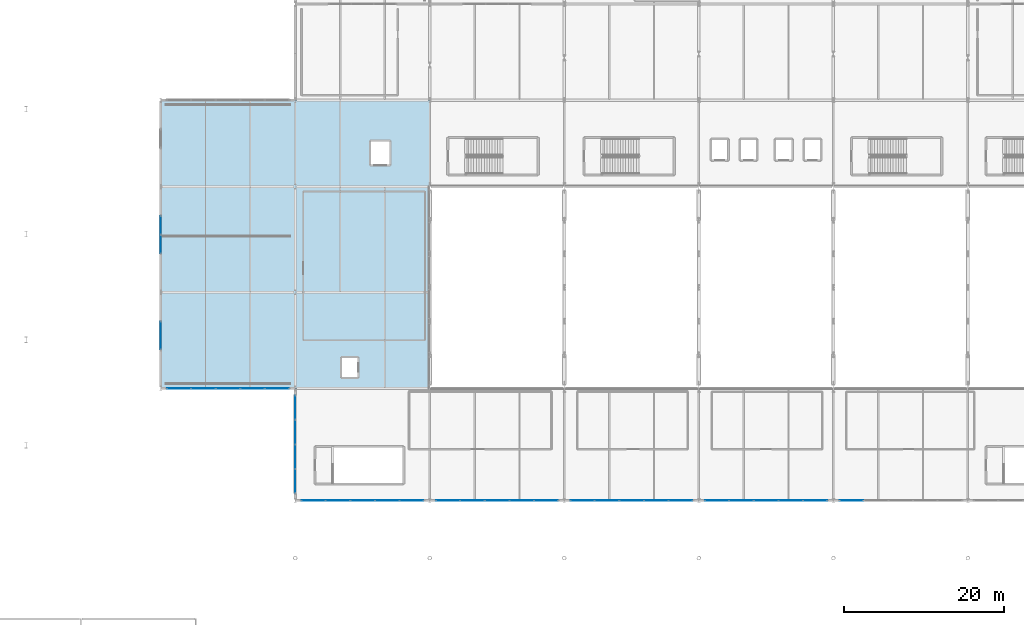
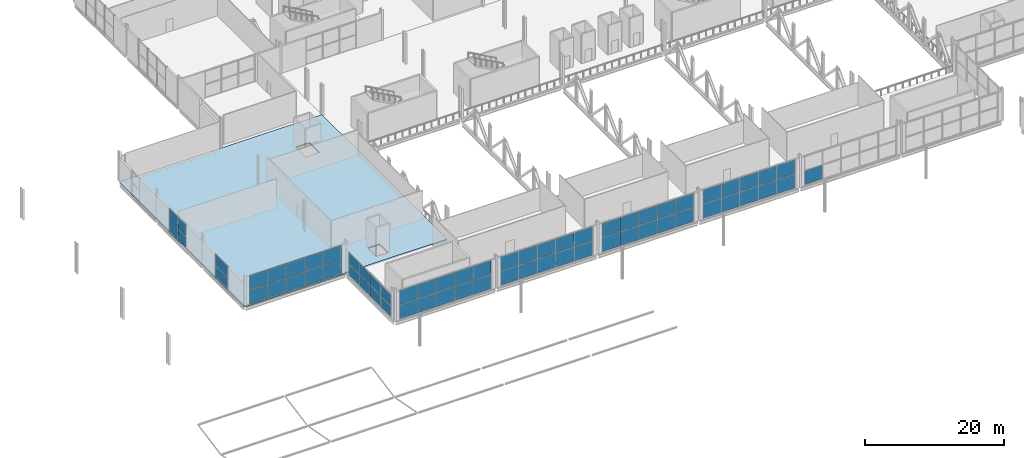
# One storey, part 49 of 84: 65 plates, 1 slab, 9 elements without a shape of their own.
"""IFC4 building model written with IfcOpenShell, lengths in metres."""

from ifc_helpers import new_model, si_unit, direction, frame, origin, origin_2d, place, context, subcontext, project, spatial, polyline, rectangle, outline, extrude, material, layer, layer_set, type_object, element, aggregate, save


model = new_model("IFC4")

# Units and contexts
model_context = context("Model", 3, precision=1e-05, world=origin(), true_north=direction((0.0, 1.0)))
body_context = subcontext(model_context, "Body", "Model", "MODEL_VIEW")
ifc_project = project(units=[si_unit("LENGTHUNIT", "METRE"), si_unit("AREAUNIT", "SQUARE_METRE"), si_unit("VOLUMEUNIT", "CUBIC_METRE"), si_unit("PLANEANGLEUNIT", "RADIAN"), si_unit("MASSUNIT", "GRAM", prefix="KILO")], contexts=[model_context])

# Site, building, storey
site_placement = place(None, origin())
site = spatial("IfcSite", under=ifc_project, at=site_placement, CompositionType="ELEMENT")
building_placement = place(site_placement, origin())
building = spatial("IfcBuilding", under=site, at=building_placement, Name="Kimbaza Rail Terminus", CompositionType="ELEMENT")
storey_placement = place(building_placement, frame((0.0, 0.0, 5.39990234375)))
storey = spatial("IfcBuildingStorey", under=building, at=storey_placement, Name="L01", CompositionType="ELEMENT", Elevation=5.39990234375)

# Curtain wall, plates
ifc_material_1 = material(Name="Anodised aluminium framing and solar low-E glazing", Category="aluminium")
curtain_wall_type_1 = type_object("IfcCurtainWallType", Name="ARC-CW-TH1", PredefinedType="USERDEFINED", material=ifc_material_1)
curtain_wall_1_placement = place(storey_placement, origin())
curtain_wall_1 = element("IfcCurtainWall", 1, at=curtain_wall_1_placement, inside=storey, type_object=curtain_wall_type_1, Name="Concourse W Return Curtain Wall L01", ObjectType="UNITISED CURTAIN WALL", PredefinedType="USERDEFINED")
ifc_material_2 = material(Name="Solar-control double low-E glazing", Category="glass")
ifc_layer_1 = layer(ifc_material_2, 0.035888671875)
ifc_layer_set_1 = layer_set([ifc_layer_1], Name="Solar-control double low-E glazing")
plate_type_1 = type_object("IfcPlateType", Name="ARC-CWP-01", PredefinedType="CURTAIN_PANEL", material=ifc_layer_set_1)
plate_1_placement = place(storey_placement, frame((55.199951171875, 43.413818359375, 0.0751953125), z_axis=(0.0, 0.0, 1.0), x_axis=(0.0, 1.0, 0.0)))
plate_1 = element("IfcPlate", 2, at=plate_1_placement, type_object=plate_type_1, Name="CW-01 panel 1.1", PredefinedType="CURTAIN_PANEL", context=body_context, shape_type="SweptSolid", body=[
    extrude(rectangle(XDim=2.95751953125, YDim=0.035888671875, at=origin_2d()), origin(), (0.0, 0.0, 1.0), 1.949951171875),
])
plate_2_placement = place(storey_placement, frame((55.199951171875, 43.413818359375, 2.10009765625), z_axis=(0.0, 0.0, 1.0), x_axis=(0.0, 1.0, 0.0)))
plate_2 = element("IfcPlate", 3, at=plate_2_placement, type_object=plate_type_1, Name="CW-01 panel 1.2", PredefinedType="CURTAIN_PANEL", context=body_context, shape_type="SweptSolid", body=[
    extrude(rectangle(XDim=2.95751953125, YDim=0.035888671875, at=origin_2d()), origin(), (0.0, 0.0, 1.0), 1.949951171875),
])
plate_3_placement = place(storey_placement, frame((55.199951171875, 46.465087890625, 0.0751953125), z_axis=(0.0, 0.0, 1.0), x_axis=(0.0, 1.0, 0.0)))
plate_3 = element("IfcPlate", 4, at=plate_3_placement, type_object=plate_type_1, Name="CW-01 panel 2.1", PredefinedType="CURTAIN_PANEL", context=body_context, shape_type="SweptSolid", body=[
    extrude(rectangle(XDim=2.9951171875, YDim=0.035888671875, at=origin_2d()), origin(), (0.0, 0.0, 1.0), 1.949951171875),
])
plate_4_placement = place(storey_placement, frame((55.199951171875, 46.465087890625, 2.10009765625), z_axis=(0.0, 0.0, 1.0), x_axis=(0.0, 1.0, 0.0)))
plate_4 = element("IfcPlate", 5, at=plate_4_placement, type_object=plate_type_1, Name="CW-01 panel 2.2", PredefinedType="CURTAIN_PANEL", context=body_context, shape_type="SweptSolid", body=[
    extrude(rectangle(XDim=2.9951171875, YDim=0.035888671875, at=origin_2d()), origin(), (0.0, 0.0, 1.0), 1.949951171875),
])
plate_5_placement = place(storey_placement, frame((55.199951171875, 49.534912109375, 0.0751953125), z_axis=(0.0, 0.0, 1.0), x_axis=(0.0, 1.0, 0.0)))
plate_5 = element("IfcPlate", 6, at=plate_5_placement, type_object=plate_type_1, Name="CW-01 panel 3.1", PredefinedType="CURTAIN_PANEL", context=body_context, shape_type="SweptSolid", body=[
    extrude(rectangle(XDim=2.9951171875, YDim=0.035888671875, at=origin_2d()), origin(), (0.0, 0.0, 1.0), 1.949951171875),
])
plate_6_placement = place(storey_placement, frame((55.199951171875, 49.534912109375, 2.10009765625), z_axis=(0.0, 0.0, 1.0), x_axis=(0.0, 1.0, 0.0)))
plate_6 = element("IfcPlate", 7, at=plate_6_placement, type_object=plate_type_1, Name="CW-01 panel 3.2", PredefinedType="CURTAIN_PANEL", context=body_context, shape_type="SweptSolid", body=[
    extrude(rectangle(XDim=2.9951171875, YDim=0.035888671875, at=origin_2d()), origin(), (0.0, 0.0, 1.0), 1.949951171875),
])
plate_7_placement = place(storey_placement, frame((55.199951171875, 52.586181640625, 0.0751953125), z_axis=(0.0, 0.0, 1.0), x_axis=(0.0, 1.0, 0.0)))
plate_7 = element("IfcPlate", 8, at=plate_7_placement, type_object=plate_type_1, Name="CW-01 panel 4.1", PredefinedType="CURTAIN_PANEL", context=body_context, shape_type="SweptSolid", body=[
    extrude(rectangle(XDim=2.95751953125, YDim=0.035888671875, at=origin_2d()), origin(), (0.0, 0.0, 1.0), 1.949951171875),
])
plate_8_placement = place(storey_placement, frame((55.199951171875, 52.586181640625, 2.10009765625), z_axis=(0.0, 0.0, 1.0), x_axis=(0.0, 1.0, 0.0)))
plate_8 = element("IfcPlate", 9, at=plate_8_placement, type_object=plate_type_1, Name="CW-01 panel 4.2", PredefinedType="CURTAIN_PANEL", context=body_context, shape_type="SweptSolid", body=[
    extrude(rectangle(XDim=2.95751953125, YDim=0.035888671875, at=origin_2d()), origin(), (0.0, 0.0, 1.0), 1.949951171875),
])
aggregate(curtain_wall_1, [plate_1, plate_2, plate_3, plate_4, plate_5, plate_6, plate_7, plate_8])

curtain_wall_2_placement = place(storey_placement, origin())
curtain_wall_2 = element("IfcCurtainWall", 10, at=curtain_wall_2_placement, inside=storey, type_object=curtain_wall_type_1, Name="Ticket Hall Wing W Curtain Wall L01.1", ObjectType="UNITISED CURTAIN WALL", PredefinedType="USERDEFINED")
plate_9_placement = place(storey_placement, frame((40.6748046875, 55.0, 0.0751953125), z_axis=(0.0, 0.0, 1.0), x_axis=(1.0, 0.0, 0.0)))
plate_9 = element("IfcPlate", 11, at=plate_9_placement, type_object=plate_type_1, Name="CW-01 panel 1.1", PredefinedType="CURTAIN_PANEL", context=body_context, shape_type="SweptSolid", body=[
    extrude(rectangle(XDim=2.95947265625, YDim=0.035888671875, at=origin_2d()), origin(), (0.0, 0.0, 1.0), 2.45751953125),
])
plate_10_placement = place(storey_placement, frame((40.6748046875, 55.0, 2.607666015625), z_axis=(0.0, 0.0, 1.0), x_axis=(1.0, 0.0, 0.0)))
plate_10 = element("IfcPlate", 12, at=plate_10_placement, type_object=plate_type_1, Name="CW-01 panel 1.2", PredefinedType="CURTAIN_PANEL", context=body_context, shape_type="SweptSolid", body=[
    extrude(rectangle(XDim=2.95947265625, YDim=0.035888671875, at=origin_2d()), origin(), (0.0, 0.0, 1.0), 2.45751953125),
])
plate_11_placement = place(storey_placement, frame((43.72802734375, 55.0, 0.0751953125), z_axis=(0.0, 0.0, 1.0), x_axis=(1.0, 0.0, 0.0)))
plate_11 = element("IfcPlate", 13, at=plate_11_placement, type_object=plate_type_1, Name="CW-01 panel 2.1", PredefinedType="CURTAIN_PANEL", context=body_context, shape_type="SweptSolid", body=[
    extrude(rectangle(XDim=2.9970703125, YDim=0.035888671875, at=origin_2d()), origin(), (0.0, 0.0, 1.0), 2.45751953125),
])
plate_12_placement = place(storey_placement, frame((43.72802734375, 55.0, 2.607666015625), z_axis=(0.0, 0.0, 1.0), x_axis=(1.0, 0.0, 0.0)))
plate_12 = element("IfcPlate", 14, at=plate_12_placement, type_object=plate_type_1, Name="CW-01 panel 2.2", PredefinedType="CURTAIN_PANEL", context=body_context, shape_type="SweptSolid", body=[
    extrude(rectangle(XDim=2.9970703125, YDim=0.035888671875, at=origin_2d()), origin(), (0.0, 0.0, 1.0), 2.45751953125),
])
plate_13_placement = place(storey_placement, frame((46.800048828125, 55.0, 0.0751953125), z_axis=(0.0, 0.0, 1.0), x_axis=(1.0, 0.0, 0.0)))
plate_13 = element("IfcPlate", 15, at=plate_13_placement, type_object=plate_type_1, Name="CW-01 panel 3.1", PredefinedType="CURTAIN_PANEL", context=body_context, shape_type="SweptSolid", body=[
    extrude(rectangle(XDim=2.9970703125, YDim=0.035888671875, at=origin_2d()), origin(), (0.0, 0.0, 1.0), 2.45751953125),
])
plate_14_placement = place(storey_placement, frame((46.800048828125, 55.0, 2.607666015625), z_axis=(0.0, 0.0, 1.0), x_axis=(1.0, 0.0, 0.0)))
plate_14 = element("IfcPlate", 16, at=plate_14_placement, type_object=plate_type_1, Name="CW-01 panel 3.2", PredefinedType="CURTAIN_PANEL", context=body_context, shape_type="SweptSolid", body=[
    extrude(rectangle(XDim=2.9970703125, YDim=0.035888671875, at=origin_2d()), origin(), (0.0, 0.0, 1.0), 2.45751953125),
])
plate_15_placement = place(storey_placement, frame((49.8720703125, 55.0, 0.0751953125), z_axis=(0.0, 0.0, 1.0), x_axis=(1.0, 0.0, 0.0)))
plate_15 = element("IfcPlate", 17, at=plate_15_placement, type_object=plate_type_1, Name="CW-01 panel 4.1", PredefinedType="CURTAIN_PANEL", context=body_context, shape_type="SweptSolid", body=[
    extrude(rectangle(XDim=2.9970703125, YDim=0.035888671875, at=origin_2d()), origin(), (0.0, 0.0, 1.0), 2.45751953125),
])
plate_16_placement = place(storey_placement, frame((49.8720703125, 55.0, 2.607666015625), z_axis=(0.0, 0.0, 1.0), x_axis=(1.0, 0.0, 0.0)))
plate_16 = element("IfcPlate", 18, at=plate_16_placement, type_object=plate_type_1, Name="CW-01 panel 4.2", PredefinedType="CURTAIN_PANEL", context=body_context, shape_type="SweptSolid", body=[
    extrude(rectangle(XDim=2.9970703125, YDim=0.035888671875, at=origin_2d()), origin(), (0.0, 0.0, 1.0), 2.45751953125),
])
plate_17_placement = place(storey_placement, frame((52.92529296875, 55.0, 0.0751953125), z_axis=(0.0, 0.0, 1.0), x_axis=(1.0, 0.0, 0.0)))
plate_17 = element("IfcPlate", 19, at=plate_17_placement, type_object=plate_type_1, Name="CW-01 panel 5.1", PredefinedType="CURTAIN_PANEL", context=body_context, shape_type="SweptSolid", body=[
    extrude(rectangle(XDim=2.95947265625, YDim=0.035888671875, at=origin_2d()), origin(), (0.0, 0.0, 1.0), 2.45751953125),
])
plate_18_placement = place(storey_placement, frame((52.92529296875, 55.0, 2.607666015625), z_axis=(0.0, 0.0, 1.0), x_axis=(1.0, 0.0, 0.0)))
plate_18 = element("IfcPlate", 20, at=plate_18_placement, type_object=plate_type_1, Name="CW-01 panel 5.2", PredefinedType="CURTAIN_PANEL", context=body_context, shape_type="SweptSolid", body=[
    extrude(rectangle(XDim=2.95947265625, YDim=0.035888671875, at=origin_2d()), origin(), (0.0, 0.0, 1.0), 2.45751953125),
])
aggregate(curtain_wall_2, [plate_9, plate_10, plate_11, plate_12, plate_13, plate_14, plate_15, plate_16, plate_17, plate_18])

curtain_wall_3_placement = place(storey_placement, origin())
curtain_wall_3 = element("IfcCurtainWall", 21, at=curtain_wall_3_placement, inside=storey, type_object=curtain_wall_type_1, Name="Ticket Hall W Glazing L01.1", ObjectType="UNITISED CURTAIN WALL", PredefinedType="USERDEFINED")
plate_19_placement = place(storey_placement, frame((38.39990234375, 61.60009765625, 0.0751953125), z_axis=(0.0, 0.0, 1.0), x_axis=(0.0, 1.0, 0.0)))
plate_19 = element("IfcPlate", 22, at=plate_19_placement, type_object=plate_type_1, Name="CW-01 panel 1.1", PredefinedType="CURTAIN_PANEL", context=body_context, shape_type="SweptSolid", body=[
    extrude(rectangle(XDim=3.449951171875, YDim=0.035888671875, at=origin_2d()), origin(), (0.0, 0.0, 1.0), 1.949951171875),
])
plate_20_placement = place(storey_placement, frame((38.39990234375, 61.60009765625, 2.10009765625), z_axis=(0.0, 0.0, 1.0), x_axis=(0.0, 1.0, 0.0)))
plate_20 = element("IfcPlate", 23, at=plate_20_placement, type_object=plate_type_1, Name="CW-01 panel 1.2", PredefinedType="CURTAIN_PANEL", context=body_context, shape_type="SweptSolid", body=[
    extrude(rectangle(XDim=3.449951171875, YDim=0.035888671875, at=origin_2d()), origin(), (0.0, 0.0, 1.0), 1.949951171875),
])
aggregate(curtain_wall_3, [plate_19, plate_20])

curtain_wall_4_placement = place(storey_placement, origin())
curtain_wall_4 = element("IfcCurtainWall", 24, at=curtain_wall_4_placement, inside=storey, type_object=curtain_wall_type_1, Name="Ticket Hall W Glazing L01.2", ObjectType="UNITISED CURTAIN WALL", PredefinedType="USERDEFINED")
plate_21_placement = place(storey_placement, frame((38.39990234375, 73.018798828125, 0.0751953125), z_axis=(0.0, 0.0, 1.0), x_axis=(0.0, 1.0, 0.0)))
plate_21 = element("IfcPlate", 25, at=plate_21_placement, type_object=plate_type_1, Name="CW-01 panel 1.1", PredefinedType="CURTAIN_PANEL", context=body_context, shape_type="SweptSolid", body=[
    extrude(rectangle(XDim=2.28759765625, YDim=0.035888671875, at=origin_2d()), origin(), (0.0, 0.0, 1.0), 1.949951171875),
])
plate_22_placement = place(storey_placement, frame((38.39990234375, 73.018798828125, 2.10009765625), z_axis=(0.0, 0.0, 1.0), x_axis=(0.0, 1.0, 0.0)))
plate_22 = element("IfcPlate", 26, at=plate_22_placement, type_object=plate_type_1, Name="CW-01 panel 1.2", PredefinedType="CURTAIN_PANEL", context=body_context, shape_type="SweptSolid", body=[
    extrude(rectangle(XDim=2.28759765625, YDim=0.035888671875, at=origin_2d()), origin(), (0.0, 0.0, 1.0), 1.949951171875),
])
plate_23_placement = place(storey_placement, frame((38.39990234375, 75.38134765625, 0.0751953125), z_axis=(0.0, 0.0, 1.0), x_axis=(0.0, 1.0, 0.0)))
plate_23 = element("IfcPlate", 27, at=plate_23_placement, type_object=plate_type_1, Name="CW-01 panel 2.1", PredefinedType="CURTAIN_PANEL", context=body_context, shape_type="SweptSolid", body=[
    extrude(rectangle(XDim=2.28759765625, YDim=0.035888671875, at=origin_2d()), origin(), (0.0, 0.0, 1.0), 1.949951171875),
])
plate_24_placement = place(storey_placement, frame((38.39990234375, 75.38134765625, 2.10009765625), z_axis=(0.0, 0.0, 1.0), x_axis=(0.0, 1.0, 0.0)))
plate_24 = element("IfcPlate", 28, at=plate_24_placement, type_object=plate_type_1, Name="CW-01 panel 2.2", PredefinedType="CURTAIN_PANEL", context=body_context, shape_type="SweptSolid", body=[
    extrude(rectangle(XDim=2.28759765625, YDim=0.035888671875, at=origin_2d()), origin(), (0.0, 0.0, 1.0), 1.949951171875),
])
aggregate(curtain_wall_4, [plate_21, plate_22, plate_23, plate_24])

ifc_material_3 = material(Name="Anodised aluminium framing and solar low-E glazing", Category="aluminium")
curtain_wall_type_2 = type_object("IfcCurtainWallType", Name="ARC-CW-CN1", PredefinedType="USERDEFINED", material=ifc_material_3)
curtain_wall_5_placement = place(storey_placement, origin())
curtain_wall_5 = element("IfcCurtainWall", 29, at=curtain_wall_5_placement, inside=storey, type_object=curtain_wall_type_2, Name="South Concourse Upper Glazing L01 Bay 1", ObjectType="UNITISED CURTAIN WALL", PredefinedType="USERDEFINED")
ifc_material_4 = material(Name="Solar-control double low-E glazing", Category="glass")
ifc_layer_2 = layer(ifc_material_4, 0.032958984375)
ifc_layer_set_2 = layer_set([ifc_layer_2], Name="Solar-control double low-E glazing")
plate_type_2 = type_object("IfcPlateType", Name="ARC-CWP-02", PredefinedType="CURTAIN_PANEL", material=ifc_layer_set_2)
plate_25_placement = place(storey_placement, frame((57.473388671875, 41.0, 0.06982421875), z_axis=(0.0, 0.0, 1.0), x_axis=(1.0, 0.0, 0.0)))
plate_25 = element("IfcPlate", 30, at=plate_25_placement, type_object=plate_type_2, Name="CW-02 panel 1.1", PredefinedType="CURTAIN_PANEL", context=body_context, shape_type="SweptSolid", body=[
    extrude(rectangle(XDim=2.967041015625, YDim=0.032958984375, at=origin_2d()), origin(), (0.0, 0.0, 1.0), 2.465087890625),
])
plate_26_placement = place(storey_placement, frame((57.473388671875, 41.0, 2.60498046875), z_axis=(0.0, 0.0, 1.0), x_axis=(1.0, 0.0, 0.0)))
plate_26 = element("IfcPlate", 31, at=plate_26_placement, type_object=plate_type_2, Name="CW-02 panel 1.2", PredefinedType="CURTAIN_PANEL", context=body_context, shape_type="SweptSolid", body=[
    extrude(rectangle(XDim=2.967041015625, YDim=0.032958984375, at=origin_2d()), origin(), (0.0, 0.0, 1.0), 2.465087890625),
])
plate_27_placement = place(storey_placement, frame((60.528076171875, 41.0, 0.06982421875), z_axis=(0.0, 0.0, 1.0), x_axis=(1.0, 0.0, 0.0)))
plate_27 = element("IfcPlate", 32, at=plate_27_placement, type_object=plate_type_2, Name="CW-02 panel 2.1", PredefinedType="CURTAIN_PANEL", context=body_context, shape_type="SweptSolid", body=[
    extrude(rectangle(XDim=3.001953125, YDim=0.032958984375, at=origin_2d()), origin(), (0.0, 0.0, 1.0), 2.465087890625),
])
plate_28_placement = place(storey_placement, frame((60.528076171875, 41.0, 2.60498046875), z_axis=(0.0, 0.0, 1.0), x_axis=(1.0, 0.0, 0.0)))
plate_28 = element("IfcPlate", 33, at=plate_28_placement, type_object=plate_type_2, Name="CW-02 panel 2.2", PredefinedType="CURTAIN_PANEL", context=body_context, shape_type="SweptSolid", body=[
    extrude(rectangle(XDim=3.001953125, YDim=0.032958984375, at=origin_2d()), origin(), (0.0, 0.0, 1.0), 2.465087890625),
])
plate_29_placement = place(storey_placement, frame((63.60009765625, 41.0, 0.06982421875), z_axis=(0.0, 0.0, 1.0), x_axis=(1.0, 0.0, 0.0)))
plate_29 = element("IfcPlate", 34, at=plate_29_placement, type_object=plate_type_2, Name="CW-02 panel 3.1", PredefinedType="CURTAIN_PANEL", context=body_context, shape_type="SweptSolid", body=[
    extrude(rectangle(XDim=3.001953125, YDim=0.032958984375, at=origin_2d()), origin(), (0.0, 0.0, 1.0), 2.465087890625),
])
plate_30_placement = place(storey_placement, frame((63.60009765625, 41.0, 2.60498046875), z_axis=(0.0, 0.0, 1.0), x_axis=(1.0, 0.0, 0.0)))
plate_30 = element("IfcPlate", 35, at=plate_30_placement, type_object=plate_type_2, Name="CW-02 panel 3.2", PredefinedType="CURTAIN_PANEL", context=body_context, shape_type="SweptSolid", body=[
    extrude(rectangle(XDim=3.001953125, YDim=0.032958984375, at=origin_2d()), origin(), (0.0, 0.0, 1.0), 2.465087890625),
])
plate_31_placement = place(storey_placement, frame((66.672119140625, 41.0, 0.06982421875), z_axis=(0.0, 0.0, 1.0), x_axis=(1.0, 0.0, 0.0)))
plate_31 = element("IfcPlate", 36, at=plate_31_placement, type_object=plate_type_2, Name="CW-02 panel 4.1", PredefinedType="CURTAIN_PANEL", context=body_context, shape_type="SweptSolid", body=[
    extrude(rectangle(XDim=3.001953125, YDim=0.032958984375, at=origin_2d()), origin(), (0.0, 0.0, 1.0), 2.465087890625),
])
plate_32_placement = place(storey_placement, frame((66.672119140625, 41.0, 2.60498046875), z_axis=(0.0, 0.0, 1.0), x_axis=(1.0, 0.0, 0.0)))
plate_32 = element("IfcPlate", 37, at=plate_32_placement, type_object=plate_type_2, Name="CW-02 panel 4.2", PredefinedType="CURTAIN_PANEL", context=body_context, shape_type="SweptSolid", body=[
    extrude(rectangle(XDim=3.001953125, YDim=0.032958984375, at=origin_2d()), origin(), (0.0, 0.0, 1.0), 2.465087890625),
])
plate_33_placement = place(storey_placement, frame((69.7265625, 41.0, 0.06982421875), z_axis=(0.0, 0.0, 1.0), x_axis=(1.0, 0.0, 0.0)))
plate_33 = element("IfcPlate", 38, at=plate_33_placement, type_object=plate_type_2, Name="CW-02 panel 5.1", PredefinedType="CURTAIN_PANEL", context=body_context, shape_type="SweptSolid", body=[
    extrude(rectangle(XDim=2.967041015625, YDim=0.032958984375, at=origin_2d()), origin(), (0.0, 0.0, 1.0), 2.465087890625),
])
plate_34_placement = place(storey_placement, frame((69.7265625, 41.0, 2.60498046875), z_axis=(0.0, 0.0, 1.0), x_axis=(1.0, 0.0, 0.0)))
plate_34 = element("IfcPlate", 39, at=plate_34_placement, type_object=plate_type_2, Name="CW-02 panel 5.2", PredefinedType="CURTAIN_PANEL", context=body_context, shape_type="SweptSolid", body=[
    extrude(rectangle(XDim=2.967041015625, YDim=0.032958984375, at=origin_2d()), origin(), (0.0, 0.0, 1.0), 2.465087890625),
])
aggregate(curtain_wall_5, [plate_25, plate_26, plate_27, plate_28, plate_29, plate_30, plate_31, plate_32, plate_33, plate_34])

curtain_wall_6_placement = place(storey_placement, origin())
curtain_wall_6 = element("IfcCurtainWall", 40, at=curtain_wall_6_placement, inside=storey, type_object=curtain_wall_type_2, Name="South Concourse Upper Glazing L01 Bay 2", ObjectType="UNITISED CURTAIN WALL", PredefinedType="USERDEFINED")
plate_35_placement = place(storey_placement, frame((74.2734375, 41.0, 0.06982421875), z_axis=(0.0, 0.0, 1.0), x_axis=(1.0, 0.0, 0.0)))
plate_35 = element("IfcPlate", 41, at=plate_35_placement, type_object=plate_type_2, Name="CW-02 panel 1.1", PredefinedType="CURTAIN_PANEL", context=body_context, shape_type="SweptSolid", body=[
    extrude(rectangle(XDim=2.967041015625, YDim=0.032958984375, at=origin_2d()), origin(), (0.0, 0.0, 1.0), 2.465087890625),
])
plate_36_placement = place(storey_placement, frame((74.2734375, 41.0, 2.60498046875), z_axis=(0.0, 0.0, 1.0), x_axis=(1.0, 0.0, 0.0)))
plate_36 = element("IfcPlate", 42, at=plate_36_placement, type_object=plate_type_2, Name="CW-02 panel 1.2", PredefinedType="CURTAIN_PANEL", context=body_context, shape_type="SweptSolid", body=[
    extrude(rectangle(XDim=2.967041015625, YDim=0.032958984375, at=origin_2d()), origin(), (0.0, 0.0, 1.0), 2.465087890625),
])
plate_37_placement = place(storey_placement, frame((77.327880859375, 41.0, 0.06982421875), z_axis=(0.0, 0.0, 1.0), x_axis=(1.0, 0.0, 0.0)))
plate_37 = element("IfcPlate", 43, at=plate_37_placement, type_object=plate_type_2, Name="CW-02 panel 2.1", PredefinedType="CURTAIN_PANEL", context=body_context, shape_type="SweptSolid", body=[
    extrude(rectangle(XDim=3.001953125, YDim=0.032958984375, at=origin_2d()), origin(), (0.0, 0.0, 1.0), 2.465087890625),
])
plate_38_placement = place(storey_placement, frame((77.327880859375, 41.0, 2.60498046875), z_axis=(0.0, 0.0, 1.0), x_axis=(1.0, 0.0, 0.0)))
plate_38 = element("IfcPlate", 44, at=plate_38_placement, type_object=plate_type_2, Name="CW-02 panel 2.2", PredefinedType="CURTAIN_PANEL", context=body_context, shape_type="SweptSolid", body=[
    extrude(rectangle(XDim=3.001953125, YDim=0.032958984375, at=origin_2d()), origin(), (0.0, 0.0, 1.0), 2.465087890625),
])
plate_39_placement = place(storey_placement, frame((80.39990234375, 41.0, 0.06982421875), z_axis=(0.0, 0.0, 1.0), x_axis=(1.0, 0.0, 0.0)))
plate_39 = element("IfcPlate", 45, at=plate_39_placement, type_object=plate_type_2, Name="CW-02 panel 3.1", PredefinedType="CURTAIN_PANEL", context=body_context, shape_type="SweptSolid", body=[
    extrude(rectangle(XDim=3.001953125, YDim=0.032958984375, at=origin_2d()), origin(), (0.0, 0.0, 1.0), 2.465087890625),
])
plate_40_placement = place(storey_placement, frame((80.39990234375, 41.0, 2.60498046875), z_axis=(0.0, 0.0, 1.0), x_axis=(1.0, 0.0, 0.0)))
plate_40 = element("IfcPlate", 46, at=plate_40_placement, type_object=plate_type_2, Name="CW-02 panel 3.2", PredefinedType="CURTAIN_PANEL", context=body_context, shape_type="SweptSolid", body=[
    extrude(rectangle(XDim=3.001953125, YDim=0.032958984375, at=origin_2d()), origin(), (0.0, 0.0, 1.0), 2.465087890625),
])
plate_41_placement = place(storey_placement, frame((83.471923828125, 41.0, 0.06982421875), z_axis=(0.0, 0.0, 1.0), x_axis=(1.0, 0.0, 0.0)))
plate_41 = element("IfcPlate", 47, at=plate_41_placement, type_object=plate_type_2, Name="CW-02 panel 4.1", PredefinedType="CURTAIN_PANEL", context=body_context, shape_type="SweptSolid", body=[
    extrude(rectangle(XDim=3.001953125, YDim=0.032958984375, at=origin_2d()), origin(), (0.0, 0.0, 1.0), 2.465087890625),
])
plate_42_placement = place(storey_placement, frame((83.471923828125, 41.0, 2.60498046875), z_axis=(0.0, 0.0, 1.0), x_axis=(1.0, 0.0, 0.0)))
plate_42 = element("IfcPlate", 48, at=plate_42_placement, type_object=plate_type_2, Name="CW-02 panel 4.2", PredefinedType="CURTAIN_PANEL", context=body_context, shape_type="SweptSolid", body=[
    extrude(rectangle(XDim=3.001953125, YDim=0.032958984375, at=origin_2d()), origin(), (0.0, 0.0, 1.0), 2.465087890625),
])
plate_43_placement = place(storey_placement, frame((86.526611328125, 41.0, 0.06982421875), z_axis=(0.0, 0.0, 1.0), x_axis=(1.0, 0.0, 0.0)))
plate_43 = element("IfcPlate", 49, at=plate_43_placement, type_object=plate_type_2, Name="CW-02 panel 5.1", PredefinedType="CURTAIN_PANEL", context=body_context, shape_type="SweptSolid", body=[
    extrude(rectangle(XDim=2.967041015625, YDim=0.032958984375, at=origin_2d()), origin(), (0.0, 0.0, 1.0), 2.465087890625),
])
plate_44_placement = place(storey_placement, frame((86.526611328125, 41.0, 2.60498046875), z_axis=(0.0, 0.0, 1.0), x_axis=(1.0, 0.0, 0.0)))
plate_44 = element("IfcPlate", 50, at=plate_44_placement, type_object=plate_type_2, Name="CW-02 panel 5.2", PredefinedType="CURTAIN_PANEL", context=body_context, shape_type="SweptSolid", body=[
    extrude(rectangle(XDim=2.967041015625, YDim=0.032958984375, at=origin_2d()), origin(), (0.0, 0.0, 1.0), 2.465087890625),
])
aggregate(curtain_wall_6, [plate_35, plate_36, plate_37, plate_38, plate_39, plate_40, plate_41, plate_42, plate_43, plate_44])

curtain_wall_7_placement = place(storey_placement, origin())
curtain_wall_7 = element("IfcCurtainWall", 51, at=curtain_wall_7_placement, inside=storey, type_object=curtain_wall_type_2, Name="South Concourse Upper Glazing L01 Bay 3", ObjectType="UNITISED CURTAIN WALL", PredefinedType="USERDEFINED")
plate_45_placement = place(storey_placement, frame((91.073486328125, 41.0, 0.06982421875), z_axis=(0.0, 0.0, 1.0), x_axis=(1.0, 0.0, 0.0)))
plate_45 = element("IfcPlate", 52, at=plate_45_placement, type_object=plate_type_2, Name="CW-02 panel 1.1", PredefinedType="CURTAIN_PANEL", context=body_context, shape_type="SweptSolid", body=[
    extrude(rectangle(XDim=2.967041015625, YDim=0.032958984375, at=origin_2d()), origin(), (0.0, 0.0, 1.0), 2.465087890625),
])
plate_46_placement = place(storey_placement, frame((91.073486328125, 41.0, 2.60498046875), z_axis=(0.0, 0.0, 1.0), x_axis=(1.0, 0.0, 0.0)))
plate_46 = element("IfcPlate", 53, at=plate_46_placement, type_object=plate_type_2, Name="CW-02 panel 1.2", PredefinedType="CURTAIN_PANEL", context=body_context, shape_type="SweptSolid", body=[
    extrude(rectangle(XDim=2.967041015625, YDim=0.032958984375, at=origin_2d()), origin(), (0.0, 0.0, 1.0), 2.465087890625),
])
plate_47_placement = place(storey_placement, frame((94.1279296875, 41.0, 0.06982421875), z_axis=(0.0, 0.0, 1.0), x_axis=(1.0, 0.0, 0.0)))
plate_47 = element("IfcPlate", 54, at=plate_47_placement, type_object=plate_type_2, Name="CW-02 panel 2.1", PredefinedType="CURTAIN_PANEL", context=body_context, shape_type="SweptSolid", body=[
    extrude(rectangle(XDim=3.001953125, YDim=0.032958984375, at=origin_2d()), origin(), (0.0, 0.0, 1.0), 2.465087890625),
])
plate_48_placement = place(storey_placement, frame((94.1279296875, 41.0, 2.60498046875), z_axis=(0.0, 0.0, 1.0), x_axis=(1.0, 0.0, 0.0)))
plate_48 = element("IfcPlate", 55, at=plate_48_placement, type_object=plate_type_2, Name="CW-02 panel 2.2", PredefinedType="CURTAIN_PANEL", context=body_context, shape_type="SweptSolid", body=[
    extrude(rectangle(XDim=3.001953125, YDim=0.032958984375, at=origin_2d()), origin(), (0.0, 0.0, 1.0), 2.465087890625),
])
plate_49_placement = place(storey_placement, frame((97.199951171875, 41.0, 0.06982421875), z_axis=(0.0, 0.0, 1.0), x_axis=(1.0, 0.0, 0.0)))
plate_49 = element("IfcPlate", 56, at=plate_49_placement, type_object=plate_type_2, Name="CW-02 panel 3.1", PredefinedType="CURTAIN_PANEL", context=body_context, shape_type="SweptSolid", body=[
    extrude(rectangle(XDim=3.001953125, YDim=0.032958984375, at=origin_2d()), origin(), (0.0, 0.0, 1.0), 2.465087890625),
])
plate_50_placement = place(storey_placement, frame((97.199951171875, 41.0, 2.60498046875), z_axis=(0.0, 0.0, 1.0), x_axis=(1.0, 0.0, 0.0)))
plate_50 = element("IfcPlate", 57, at=plate_50_placement, type_object=plate_type_2, Name="CW-02 panel 3.2", PredefinedType="CURTAIN_PANEL", context=body_context, shape_type="SweptSolid", body=[
    extrude(rectangle(XDim=3.001953125, YDim=0.032958984375, at=origin_2d()), origin(), (0.0, 0.0, 1.0), 2.465087890625),
])
plate_51_placement = place(storey_placement, frame((100.27197265625, 41.0, 0.06982421875), z_axis=(0.0, 0.0, 1.0), x_axis=(1.0, 0.0, 0.0)))
plate_51 = element("IfcPlate", 58, at=plate_51_placement, type_object=plate_type_2, Name="CW-02 panel 4.1", PredefinedType="CURTAIN_PANEL", context=body_context, shape_type="SweptSolid", body=[
    extrude(rectangle(XDim=3.001953125, YDim=0.032958984375, at=origin_2d()), origin(), (0.0, 0.0, 1.0), 2.465087890625),
])
plate_52_placement = place(storey_placement, frame((100.27197265625, 41.0, 2.60498046875), z_axis=(0.0, 0.0, 1.0), x_axis=(1.0, 0.0, 0.0)))
plate_52 = element("IfcPlate", 59, at=plate_52_placement, type_object=plate_type_2, Name="CW-02 panel 4.2", PredefinedType="CURTAIN_PANEL", context=body_context, shape_type="SweptSolid", body=[
    extrude(rectangle(XDim=3.001953125, YDim=0.032958984375, at=origin_2d()), origin(), (0.0, 0.0, 1.0), 2.465087890625),
])
plate_53_placement = place(storey_placement, frame((103.326416015625, 41.0, 0.06982421875), z_axis=(0.0, 0.0, 1.0), x_axis=(1.0, 0.0, 0.0)))
plate_53 = element("IfcPlate", 60, at=plate_53_placement, type_object=plate_type_2, Name="CW-02 panel 5.1", PredefinedType="CURTAIN_PANEL", context=body_context, shape_type="SweptSolid", body=[
    extrude(rectangle(XDim=2.967041015625, YDim=0.032958984375, at=origin_2d()), origin(), (0.0, 0.0, 1.0), 2.465087890625),
])
plate_54_placement = place(storey_placement, frame((103.326416015625, 41.0, 2.60498046875), z_axis=(0.0, 0.0, 1.0), x_axis=(1.0, 0.0, 0.0)))
plate_54 = element("IfcPlate", 61, at=plate_54_placement, type_object=plate_type_2, Name="CW-02 panel 5.2", PredefinedType="CURTAIN_PANEL", context=body_context, shape_type="SweptSolid", body=[
    extrude(rectangle(XDim=2.967041015625, YDim=0.032958984375, at=origin_2d()), origin(), (0.0, 0.0, 1.0), 2.465087890625),
])
aggregate(curtain_wall_7, [plate_45, plate_46, plate_47, plate_48, plate_49, plate_50, plate_51, plate_52, plate_53, plate_54])

curtain_wall_8_placement = place(storey_placement, origin())
curtain_wall_8 = element("IfcCurtainWall", 62, at=curtain_wall_8_placement, inside=storey, type_object=curtain_wall_type_2, Name="South Concourse Upper Glazing L01 Bay 4", ObjectType="UNITISED CURTAIN WALL", PredefinedType="USERDEFINED")
plate_55_placement = place(storey_placement, frame((107.87353515625, 41.0, 0.06982421875), z_axis=(0.0, 0.0, 1.0), x_axis=(1.0, 0.0, 0.0)))
plate_55 = element("IfcPlate", 63, at=plate_55_placement, type_object=plate_type_2, Name="CW-02 panel 1.1", PredefinedType="CURTAIN_PANEL", context=body_context, shape_type="SweptSolid", body=[
    extrude(rectangle(XDim=2.967041015625, YDim=0.032958984375, at=origin_2d()), origin(), (0.0, 0.0, 1.0), 2.465087890625),
])
plate_56_placement = place(storey_placement, frame((107.87353515625, 41.0, 2.60498046875), z_axis=(0.0, 0.0, 1.0), x_axis=(1.0, 0.0, 0.0)))
plate_56 = element("IfcPlate", 64, at=plate_56_placement, type_object=plate_type_2, Name="CW-02 panel 1.2", PredefinedType="CURTAIN_PANEL", context=body_context, shape_type="SweptSolid", body=[
    extrude(rectangle(XDim=2.967041015625, YDim=0.032958984375, at=origin_2d()), origin(), (0.0, 0.0, 1.0), 2.465087890625),
])
plate_57_placement = place(storey_placement, frame((110.927978515625, 41.0, 0.06982421875), z_axis=(0.0, 0.0, 1.0), x_axis=(1.0, 0.0, 0.0)))
plate_57 = element("IfcPlate", 65, at=plate_57_placement, type_object=plate_type_2, Name="CW-02 panel 2.1", PredefinedType="CURTAIN_PANEL", context=body_context, shape_type="SweptSolid", body=[
    extrude(rectangle(XDim=3.001953125, YDim=0.032958984375, at=origin_2d()), origin(), (0.0, 0.0, 1.0), 2.465087890625),
])
plate_58_placement = place(storey_placement, frame((110.927978515625, 41.0, 2.60498046875), z_axis=(0.0, 0.0, 1.0), x_axis=(1.0, 0.0, 0.0)))
plate_58 = element("IfcPlate", 66, at=plate_58_placement, type_object=plate_type_2, Name="CW-02 panel 2.2", PredefinedType="CURTAIN_PANEL", context=body_context, shape_type="SweptSolid", body=[
    extrude(rectangle(XDim=3.001953125, YDim=0.032958984375, at=origin_2d()), origin(), (0.0, 0.0, 1.0), 2.465087890625),
])
plate_59_placement = place(storey_placement, frame((114.0, 41.0, 0.06982421875), z_axis=(0.0, 0.0, 1.0), x_axis=(1.0, 0.0, 0.0)))
plate_59 = element("IfcPlate", 67, at=plate_59_placement, type_object=plate_type_2, Name="CW-02 panel 3.1", PredefinedType="CURTAIN_PANEL", context=body_context, shape_type="SweptSolid", body=[
    extrude(rectangle(XDim=3.001953125, YDim=0.032958984375, at=origin_2d()), origin(), (0.0, 0.0, 1.0), 2.465087890625),
])
plate_60_placement = place(storey_placement, frame((114.0, 41.0, 2.60498046875), z_axis=(0.0, 0.0, 1.0), x_axis=(1.0, 0.0, 0.0)))
plate_60 = element("IfcPlate", 68, at=plate_60_placement, type_object=plate_type_2, Name="CW-02 panel 3.2", PredefinedType="CURTAIN_PANEL", context=body_context, shape_type="SweptSolid", body=[
    extrude(rectangle(XDim=3.001953125, YDim=0.032958984375, at=origin_2d()), origin(), (0.0, 0.0, 1.0), 2.465087890625),
])
plate_61_placement = place(storey_placement, frame((117.072021484375, 41.0, 0.06982421875), z_axis=(0.0, 0.0, 1.0), x_axis=(1.0, 0.0, 0.0)))
plate_61 = element("IfcPlate", 69, at=plate_61_placement, type_object=plate_type_2, Name="CW-02 panel 4.1", PredefinedType="CURTAIN_PANEL", context=body_context, shape_type="SweptSolid", body=[
    extrude(rectangle(XDim=3.001953125, YDim=0.032958984375, at=origin_2d()), origin(), (0.0, 0.0, 1.0), 2.465087890625),
])
plate_62_placement = place(storey_placement, frame((117.072021484375, 41.0, 2.60498046875), z_axis=(0.0, 0.0, 1.0), x_axis=(1.0, 0.0, 0.0)))
plate_62 = element("IfcPlate", 70, at=plate_62_placement, type_object=plate_type_2, Name="CW-02 panel 4.2", PredefinedType="CURTAIN_PANEL", context=body_context, shape_type="SweptSolid", body=[
    extrude(rectangle(XDim=3.001953125, YDim=0.032958984375, at=origin_2d()), origin(), (0.0, 0.0, 1.0), 2.465087890625),
])
plate_63_placement = place(storey_placement, frame((120.12646484375, 41.0, 0.06982421875), z_axis=(0.0, 0.0, 1.0), x_axis=(1.0, 0.0, 0.0)))
plate_63 = element("IfcPlate", 71, at=plate_63_placement, type_object=plate_type_2, Name="CW-02 panel 5.1", PredefinedType="CURTAIN_PANEL", context=body_context, shape_type="SweptSolid", body=[
    extrude(rectangle(XDim=2.967041015625, YDim=0.032958984375, at=origin_2d()), origin(), (0.0, 0.0, 1.0), 2.465087890625),
])
plate_64_placement = place(storey_placement, frame((120.12646484375, 41.0, 2.60498046875), z_axis=(0.0, 0.0, 1.0), x_axis=(1.0, 0.0, 0.0)))
plate_64 = element("IfcPlate", 72, at=plate_64_placement, type_object=plate_type_2, Name="CW-02 panel 5.2", PredefinedType="CURTAIN_PANEL", context=body_context, shape_type="SweptSolid", body=[
    extrude(rectangle(XDim=2.967041015625, YDim=0.032958984375, at=origin_2d()), origin(), (0.0, 0.0, 1.0), 2.465087890625),
])
aggregate(curtain_wall_8, [plate_55, plate_56, plate_57, plate_58, plate_59, plate_60, plate_61, plate_62, plate_63, plate_64])

# Curtain wall, plate
curtain_wall_9_placement = place(storey_placement, origin())
curtain_wall_9 = element("IfcCurtainWall", 73, at=curtain_wall_9_placement, inside=storey, type_object=curtain_wall_type_2, Name="South Concourse Upper Glazing L01 Bay 5", ObjectType="UNITISED CURTAIN WALL", PredefinedType="USERDEFINED")
plate_65_placement = place(storey_placement, frame((124.673583984375, 41.0, 0.06982421875), z_axis=(0.0, 0.0, 1.0), x_axis=(1.0, 0.0, 0.0)))
plate_65 = element("IfcPlate", 74, at=plate_65_placement, type_object=plate_type_2, Name="CW-02 panel 1.1", PredefinedType="CURTAIN_PANEL", context=body_context, shape_type="SweptSolid", body=[
    extrude(rectangle(XDim=2.967041015625, YDim=0.032958984375, at=origin_2d()), origin(), (0.0, 0.0, 1.0), 2.465087890625),
])
aggregate(curtain_wall_9, [plate_65])

# Slab
ifc_material_5 = material(Name="Concrete C40/50", Category="concrete")
ifc_layer_3 = layer(ifc_material_5, 0.219970703125)
ifc_layer_set_3 = layer_set([ifc_layer_3], Name="Concrete C40/50")
slab_type = type_object("IfcSlabType", Name="STR-SL-MEZ220", PredefinedType="FLOOR", material=ifc_layer_set_3)
slab_placement = place(storey_placement, frame((0.0, 0.0, -0.219970703125)))
element("IfcSlab", 75, at=slab_placement, inside=storey, type_object=slab_type, Name="Concourse Mezzanine L01 SLB-V2-L01-WEST", PredefinedType="FLOOR", context=body_context, shape_type="SweptSolid", body=[
    extrude(outline(polyline([(38.39990234375, 55.0), (72.0, 55.0), (72.0, 91.0), (38.39990234375, 91.0), (38.39990234375, 55.0)]), holes=[polyline([(61.050048828125, 56.39990234375), (62.949951171875, 56.39990234375), (62.949951171875, 58.800048828125), (61.050048828125, 58.800048828125), (61.050048828125, 56.39990234375)]), polyline([(64.64990234375, 82.949951171875), (66.949951171875, 82.949951171875), (66.949951171875, 85.85009765625), (64.64990234375, 85.85009765625), (64.64990234375, 82.949951171875)])]), origin(), (0.0, 0.0, 1.0), 0.219970703125),
])

save(model, "model.ifc")
